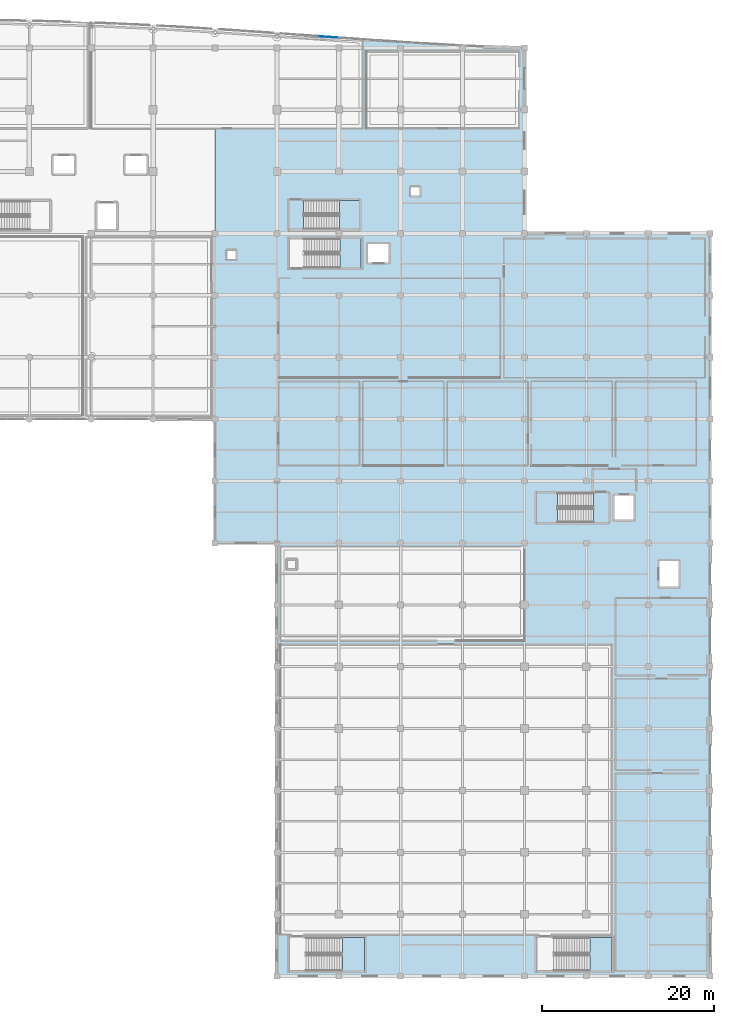
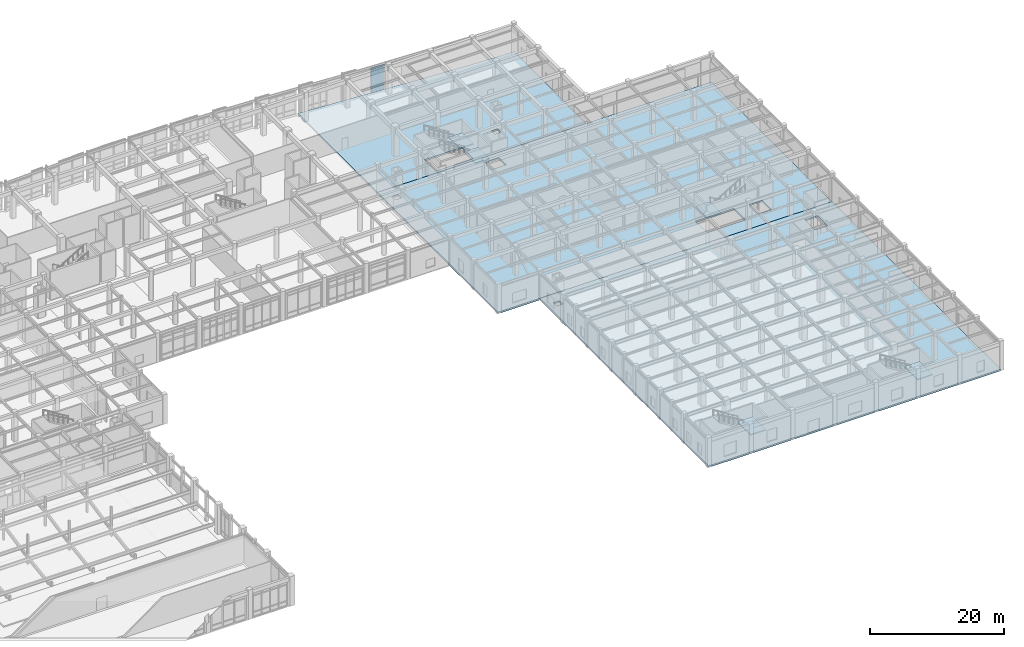
# One storey, part 68 of 102: 8 slabs, 3 plates, 6 elements without a shape of their own.
"""IFC4 building model written with IfcOpenShell, lengths in metres."""

from ifc_helpers import new_model, si_unit, direction, frame, origin, origin_2d, place, context, subcontext, project, spatial, polyline, rectangle, outline, extrude, material, layer, layer_set, type_object, element, aggregate, save


model = new_model("IFC4")

# Units and contexts
model_context = context("Model", 3, precision=1e-05, world=origin(), true_north=direction((0.0, 1.0)))
body_context = subcontext(model_context, "Body", "Model", "MODEL_VIEW")
ifc_project = project(units=[si_unit("LENGTHUNIT", "METRE"), si_unit("AREAUNIT", "SQUARE_METRE"), si_unit("VOLUMEUNIT", "CUBIC_METRE"), si_unit("PLANEANGLEUNIT", "RADIAN"), si_unit("MASSUNIT", "GRAM", prefix="KILO")], contexts=[model_context])

# Site, building, storey
site_placement = place(None, origin())
site = spatial("IfcSite", under=ifc_project, at=site_placement, CompositionType="ELEMENT")
building_placement = place(site_placement, origin())
building = spatial("IfcBuilding", under=site, at=building_placement, Name="Carrowvane Square Congress Hotel", CompositionType="ELEMENT")
storey_placement = place(building_placement, origin())
storey = spatial("IfcBuildingStorey", under=building, at=storey_placement, Name="L00", CompositionType="ELEMENT", Elevation=0.0)

# Curtain wall, plates
ifc_material_1 = material(Name="Anodised aluminium", Category="aluminium")
ifc_layer_1 = layer(ifc_material_1, 0.197998046875)
ifc_layer_set_1 = layer_set([ifc_layer_1], Name="Anodised aluminium")
curtain_wall_type = type_object("IfcCurtainWallType", Name="CW-SYS-4", PredefinedType="NOTDEFINED", material=ifc_layer_set_1)
curtain_wall_placement = place(storey_placement, origin())
curtain_wall = element("IfcCurtainWall", 1, at=curtain_wall_placement, inside=storey, type_object=curtain_wall_type, Name="L00 unitised curtain wall 43", PredefinedType="NOTDEFINED")
ifc_material_2 = material(Name="Double-glazed low-E glass", Category="glass")
ifc_layer_2 = layer(ifc_material_2, 0.0419921875)
ifc_layer_set_2 = layer_set([ifc_layer_2], Name="Double-glazed low-E glass")
plate_type = type_object("IfcPlateType", Name="CW-PAN-4", PredefinedType="CURTAIN_PANEL", material=ifc_layer_set_2)
plate_1_placement = place(storey_placement, frame((140.0, 114.6572265625, 0.070068359375), z_axis=(0.0, 0.0, 1.0), x_axis=(0.997446152826, -0.071422490945, 0.0)))
plate_1 = element("IfcPlate", 2, at=plate_1_placement, type_object=plate_type, Name="CW-4 panel 1.1", PredefinedType="CURTAIN_PANEL", context=body_context, shape_type="SweptSolid", body=[
    extrude(rectangle(XDim=2.26611328125, YDim=0.0419921875, at=origin_2d()), origin(), (0.0, 0.0, 1.0), 0.794921875),
])
plate_2_placement = place(storey_placement, frame((140.0, 114.6572265625, 0.93505859375), z_axis=(0.0, 0.0, 1.0), x_axis=(0.997446152826, -0.071422490945, 0.0)))
plate_2 = element("IfcPlate", 3, at=plate_2_placement, type_object=plate_type, Name="CW-4 panel 1.2", PredefinedType="CURTAIN_PANEL", context=body_context, shape_type="SweptSolid", body=[
    extrude(rectangle(XDim=2.26611328125, YDim=0.0419921875, at=origin_2d()), origin(), (0.0, 0.0, 1.0), 3.155517578125),
])
plate_3_placement = place(storey_placement, frame((140.0, 114.6572265625, 4.16064453125), z_axis=(0.0, 0.0, 1.0), x_axis=(0.997446152826, -0.071422490945, 0.0)))
plate_3 = element("IfcPlate", 4, at=plate_3_placement, type_object=plate_type, Name="CW-4 panel 1.3", PredefinedType="CURTAIN_PANEL", context=body_context, shape_type="SweptSolid", body=[
    extrude(rectangle(XDim=2.26611328125, YDim=0.0419921875, at=origin_2d()), origin(), (0.0, 0.0, 1.0), 0.445068359375),
])
aggregate(curtain_wall, [plate_1, plate_2, plate_3])

# Slabs
ifc_material_3 = material(Name="Concrete C35/45", Category="concrete")
ifc_layer_3 = layer(ifc_material_3, 0.300048828125)
ifc_layer_set_3 = layer_set([ifc_layer_3], Name="Concrete C35/45")
slab_type_1 = type_object("IfcSlabType", Name="SLB-FLR-300", PredefinedType="FLOOR", material=ifc_layer_set_3)
slab_1_placement = place(storey_placement, frame((0.0, 0.0, -0.300048828125)))
element("IfcSlab", 5, at=slab_1_placement, inside=storey, type_object=slab_type_1, Name="L00 V2 structural slab", PredefinedType="FLOOR", context=body_context, shape_type="SweptSolid", body=[
    extrude(outline(polyline([(134.0, 5.39990234375), (184.39990234375, 5.39990234375), (184.39990234375, 55.800048828125), (134.0, 55.800048828125), (134.0, 5.39990234375)]), holes=[polyline([(135.199951171875, 52.800048828125), (136.199951171875, 52.800048828125), (136.199951171875, 53.800048828125), (135.199951171875, 53.800048828125), (135.199951171875, 52.800048828125)]), polyline([(178.5, 50.699951171875), (180.699951171875, 50.699951171875), (180.699951171875, 53.699951171875), (178.5, 53.699951171875), (178.5, 50.699951171875)])]), origin(), (0.0, 0.0, 1.0), 0.300048828125),
])
slab_2_placement = place(storey_placement, frame((0.0, 0.0, -0.300048828125)))
element("IfcSlab", 6, at=slab_2_placement, inside=storey, type_object=slab_type_1, Name="L00 V3 structural slab", PredefinedType="FLOOR", context=body_context, shape_type="SweptSolid", body=[
    extrude(outline(polyline([(126.800048828125, 55.800048828125), (184.39990234375, 55.800048828125), (184.39990234375, 91.800048828125), (126.800048828125, 91.800048828125), (126.800048828125, 55.800048828125)]), holes=[polyline([(170.81005859375, 61.60009765625), (164.199951171875, 61.60009765625), (164.199951171875, 58.199951171875), (170.81005859375, 58.199951171875), (170.81005859375, 61.60009765625)]), polyline([(128.199951171875, 88.800048828125), (129.199951171875, 88.800048828125), (129.199951171875, 89.800048828125), (128.199951171875, 89.800048828125), (128.199951171875, 88.800048828125)]), polyline([(173.300048828125, 58.5), (175.5, 58.5), (175.5, 61.300048828125), (173.300048828125, 61.300048828125), (173.300048828125, 58.5)]), polyline([(144.60009765625, 88.449951171875), (147.0, 88.449951171875), (147.0, 90.550048828125), (144.60009765625, 90.550048828125), (144.60009765625, 88.449951171875)])]), origin(), (0.0, 0.0, 1.0), 0.300048828125),
])
slab_3_placement = place(storey_placement, frame((0.0, 0.0, -0.300048828125)))
element("IfcSlab", 7, at=slab_3_placement, inside=storey, type_object=slab_type_1, Name="L00 Hotel Wing slab panel 3", PredefinedType="FLOOR", context=body_context, shape_type="SweptSolid", body=[
    extrude(outline(polyline([(126.800048828125, 91.800048828125), (162.800048828125, 91.800048828125), (162.800048828125, 113.39990234375), (160.39990234375, 113.45166015625), (158.0, 113.541015625), (155.60009765625, 113.65283203125), (153.199951171875, 113.78125), (150.800048828125, 113.923095703125), (148.39990234375, 114.075439453125), (146.0, 114.235595703125), (143.60009765625, 114.4013671875), (141.199951171875, 114.5712890625), (138.800048828125, 114.7431640625), (136.39990234375, 114.915283203125), (134.0, 115.0859375), (131.60009765625, 115.253662109375), (129.199951171875, 115.4169921875), (126.800048828125, 115.57421875), (126.800048828125, 91.800048828125)]), holes=[polyline([(137.1201171875, 92.300048828125), (143.60009765625, 92.300048828125), (143.60009765625, 95.659912109375), (137.1201171875, 95.659912109375), (137.1201171875, 92.300048828125)]), polyline([(149.60009765625, 96.199951171875), (150.60009765625, 96.199951171875), (150.60009765625, 97.199951171875), (149.60009765625, 97.199951171875), (149.60009765625, 96.199951171875)])]), origin(), (0.0, 0.0, 1.0), 0.300048828125),
])

# Stair, slab
ifc_material_4 = material(Name="Concrete C35/45", Category="concrete")
stair_type_1 = type_object("IfcStairType", Name="STR-DOG-06", PredefinedType="HALF_TURN_STAIR", material=ifc_material_4)
stair_1_placement = place(storey_placement, origin())
stair_1 = element("IfcStair", 8, at=stair_1_placement, inside=storey, type_object=stair_type_1, Name="L00 Core C4 East Congress Firefighting Stair", PredefinedType="HALF_TURN_STAIR")
ifc_material_5 = material(Name="Concrete C35/45", Category="concrete")
ifc_layer_4 = layer(ifc_material_5, 0.199951171875)
ifc_layer_set_4 = layer_set([ifc_layer_4], Name="Concrete C35/45")
slab_type_2 = type_object("IfcSlabType", Name="SLB-LND-200", PredefinedType="LANDING", material=ifc_layer_set_4)
slab_4_placement = place(storey_placement, frame((0.0, 0.0, 2.5)))
slab_4 = element("IfcSlab", 9, at=slab_4_placement, type_object=slab_type_2, Name="ST4 landing 1", PredefinedType="LANDING", context=body_context, shape_type="SweptSolid", body=[
    extrude(outline(polyline([(166.64990234375, 61.60009765625), (164.199951171875, 61.60009765625), (164.199951171875, 58.199951171875), (166.64990234375, 58.199951171875), (166.64990234375, 61.60009765625)])), origin(), (0.0, 0.0, 1.0), 0.199951171875),
])
aggregate(stair_1, [slab_4])

stair_2_placement = place(storey_placement, origin())
stair_2 = element("IfcStair", 10, at=stair_2_placement, inside=storey, type_object=stair_type_1, Name="L00 Meeting Wing Escape Stair", PredefinedType="HALF_TURN_STAIR")
slab_5_placement = place(storey_placement, frame((0.0, 0.0, 2.5)))
slab_5 = element("IfcSlab", 11, at=slab_5_placement, type_object=slab_type_2, Name="ST8 landing 1", PredefinedType="LANDING", context=body_context, shape_type="SweptSolid", body=[
    extrude(outline(polyline([(141.35009765625, 87.800048828125), (143.800048828125, 87.800048828125), (143.800048828125, 91.199951171875), (141.35009765625, 91.199951171875), (141.35009765625, 87.800048828125)])), origin(), (0.0, 0.0, 1.0), 0.199951171875),
])
aggregate(stair_2, [slab_5])

ifc_material_6 = material(Name="Concrete C35/45", Category="concrete")
stair_type_2 = type_object("IfcStairType", Name="STR-DOG-12", PredefinedType="HALF_TURN_STAIR", material=ifc_material_6)
stair_3_placement = place(storey_placement, origin())
stair_3 = element("IfcStair", 12, at=stair_3_placement, inside=storey, type_object=stair_type_2, Name="L00 Ballroom South-West Assembly Stair", PredefinedType="HALF_TURN_STAIR")
slab_6_placement = place(storey_placement, frame((0.0, 0.0, 2.5)))
slab_6 = element("IfcSlab", 13, at=slab_6_placement, type_object=slab_type_2, Name="ST10 landing 1", PredefinedType="LANDING", context=body_context, shape_type="SweptSolid", body=[
    extrude(outline(polyline([(141.60009765625, 6.0), (144.199951171875, 6.0), (144.199951171875, 9.89990234375), (141.60009765625, 9.89990234375), (141.60009765625, 6.0)])), origin(), (0.0, 0.0, 1.0), 0.199951171875),
])
aggregate(stair_3, [slab_6])

stair_4_placement = place(storey_placement, origin())
stair_4 = element("IfcStair", 14, at=stair_4_placement, inside=storey, type_object=stair_type_2, Name="L00 Ballroom South-East Assembly Stair", PredefinedType="HALF_TURN_STAIR")
slab_7_placement = place(storey_placement, frame((0.0, 0.0, 2.5)))
slab_7 = element("IfcSlab", 15, at=slab_7_placement, type_object=slab_type_2, Name="ST11 landing 1", PredefinedType="LANDING", context=body_context, shape_type="SweptSolid", body=[
    extrude(outline(polyline([(170.39990234375, 6.0), (173.0, 6.0), (173.0, 9.89990234375), (170.39990234375, 9.89990234375), (170.39990234375, 6.0)])), origin(), (0.0, 0.0, 1.0), 0.199951171875),
])
aggregate(stair_4, [slab_7])

ifc_material_7 = material(Name="Concrete C35/45", Category="concrete")
stair_type_3 = type_object("IfcStairType", Name="STR-DOG-02", PredefinedType="HALF_TURN_STAIR", material=ifc_material_7)
stair_5_placement = place(storey_placement, origin())
stair_5 = element("IfcStair", 16, at=stair_5_placement, inside=storey, type_object=stair_type_3, Name="L00 East Hotel Wing Escape Stair", PredefinedType="HALF_TURN_STAIR")
slab_8_placement = place(storey_placement, frame((0.0, 0.0, 2.5)))
slab_8 = element("IfcSlab", 17, at=slab_8_placement, type_object=slab_type_2, Name="ST12 landing 1", PredefinedType="LANDING", context=body_context, shape_type="SweptSolid", body=[
    extrude(outline(polyline([(141.280029296875, 92.300048828125), (143.60009765625, 92.300048828125), (143.60009765625, 95.659912109375), (141.280029296875, 95.659912109375), (141.280029296875, 92.300048828125)])), origin(), (0.0, 0.0, 1.0), 0.199951171875),
])
aggregate(stair_5, [slab_8])

save(model, "model.ifc")
